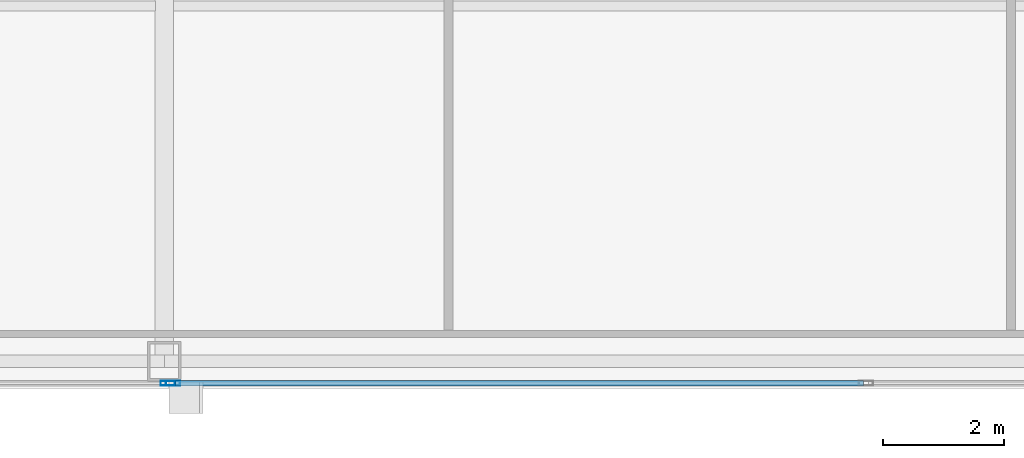
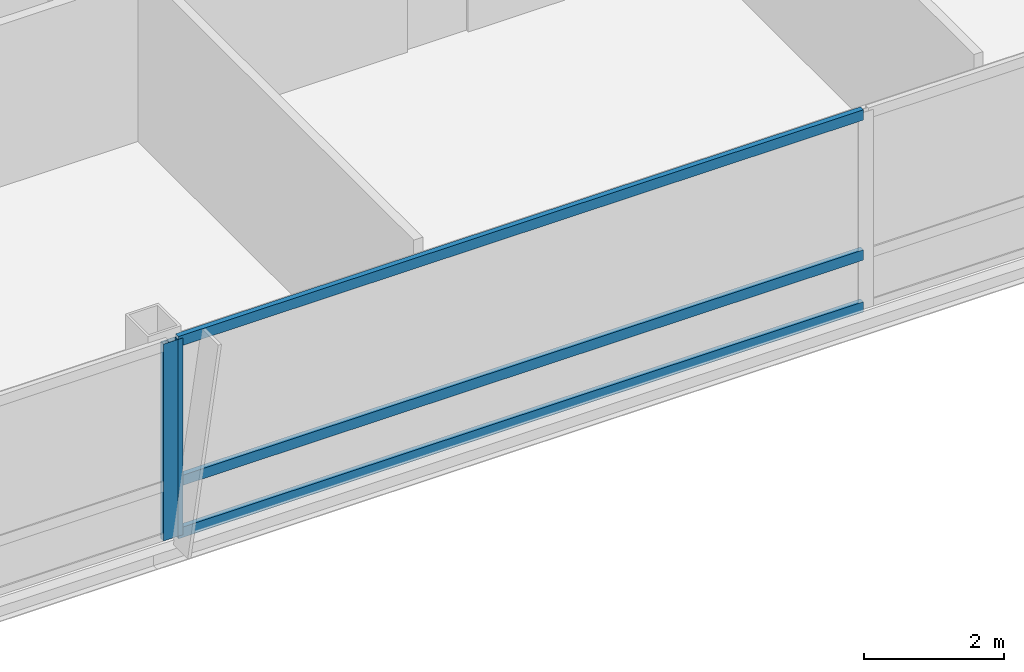
# One storey, part 7 of 29: 5 members, 2 elements without a shape of their own.
"""IFC4 building model written with IfcOpenShell, lengths in metres."""

from ifc_helpers import new_model, si_unit, direction, frame, origin, origin_2d, place, context, subcontext, project, spatial, hollow_rectangle, extrude, material, material_profile, profile_set, type_object, element, aggregate, save


model = new_model("IFC4")

# Units and contexts
model_context = context("Model", 3, precision=1e-05, world=origin(), true_north=direction((0.0, 1.0)))
body_context = subcontext(model_context, "Body", "Model", "MODEL_VIEW")
ifc_project = project(units=[si_unit("LENGTHUNIT", "METRE"), si_unit("AREAUNIT", "SQUARE_METRE"), si_unit("VOLUMEUNIT", "CUBIC_METRE"), si_unit("PLANEANGLEUNIT", "RADIAN"), si_unit("MASSUNIT", "GRAM", prefix="KILO")], contexts=[model_context])

# Site, building, storey
site_placement = place(None, origin())
site = spatial("IfcSite", under=ifc_project, at=site_placement, CompositionType="ELEMENT")
building_placement = place(site_placement, origin())
building = spatial("IfcBuilding", under=site, at=building_placement, Name="Khoronbel Lancet Exchange", CompositionType="ELEMENT")
storey_placement = place(building_placement, frame((0.0, 0.0, 321.800048828125)))
storey = spatial("IfcBuildingStorey", under=building, at=storey_placement, Name="L83", CompositionType="ELEMENT", Elevation=321.800048828125)

# Curtain wall, member
ifc_material_1 = material(Name="Low-E Solar Control Insulating Glass", Category="glass")
curtain_wall_type = type_object("IfcCurtainWallType", Name="CW-3", PredefinedType="NOTDEFINED", material=ifc_material_1)
curtain_wall_1_placement = place(storey_placement, origin())
curtain_wall_1 = element("IfcCurtainWall", 1, at=curtain_wall_1_placement, inside=storey, type_object=curtain_wall_type, Name="Unitised curtain wall CW-L83-SWB", PredefinedType="NOTDEFINED")
ifc_material_2 = material(Name="Bronze-Anodised Aluminium 6063-T6", Category="aluminium")
ifc_material_profile_1 = material_profile(ifc_material_2, hollow_rectangle(XDim=0.0849609375, YDim=0.239990234375, WallThickness=0.006103515625, at=origin_2d()), Name="ALU MULLION 85x240")
ifc_profile_set_1 = profile_set([ifc_material_profile_1], Name="Bronze-Anodised Aluminium 6063-T6")
member_type_1 = type_object("IfcMemberType", Name="MEM-CWM1", PredefinedType="MULLION", material=ifc_profile_set_1)
member_1_placement = place(storey_placement, frame((24.95751953125, 9.7900390625, 0.0), z_axis=(0.0, 0.0, 1.0), x_axis=(0.0, 1.0, 0.0)))
member_1 = element("IfcMember", 2, at=member_1_placement, type_object=member_type_1, Name="CW3 mullion 2", PredefinedType="MULLION", context=body_context, shape_type="SweptSolid", body=[
    extrude(hollow_rectangle(XDim=0.0849609375, YDim=0.239990234375, WallThickness=0.006103515625, at=origin_2d()), origin(), (0.0, 0.0, 1.0), 3.43994140625),
])
aggregate(curtain_wall_1, [member_1])

# Curtain wall, members
curtain_wall_2_placement = place(storey_placement, origin())
curtain_wall_2 = element("IfcCurtainWall", 3, at=curtain_wall_2_placement, inside=storey, type_object=curtain_wall_type, Name="Unitised curtain wall CW-L83-SCV", PredefinedType="NOTDEFINED")
member_2_placement = place(storey_placement, frame((25.04248046875, 9.7900390625, 0.0), z_axis=(0.0, 0.0, 1.0), x_axis=(0.0, 1.0, 0.0)))
member_2 = element("IfcMember", 4, at=member_2_placement, type_object=member_type_1, Name="CW3 mullion 1", PredefinedType="MULLION", context=body_context, shape_type="SweptSolid", body=[
    extrude(hollow_rectangle(XDim=0.0849609375, YDim=0.239990234375, WallThickness=0.006103515625, at=origin_2d()), origin(), (0.0, 0.0, 1.0), 3.43994140625),
])
ifc_material_profile_2 = material_profile(ifc_material_2, hollow_rectangle(XDim=0.0849609375, YDim=0.179931640625, WallThickness=0.0048828125, at=origin_2d()), Name="ALU TRANSOM 85x180")
ifc_profile_set_2 = profile_set([ifc_material_profile_2], Name="Bronze-Anodised Aluminium 6063-T6")
member_type_2 = type_object("IfcMemberType", Name="MEM-CWT1", PredefinedType="USERDEFINED", material=ifc_profile_set_2)
member_3_placement = place(storey_placement, frame((25.0849609375, 9.7900390625, 0.04248046875), z_axis=(1.0, 0.0, 0.0), x_axis=(0.0, 1.0, 0.0)))
member_3 = element("IfcMember", 5, at=member_3_placement, type_object=member_type_2, Name="CW3 transom 1.1", ObjectType="TRANSOM", PredefinedType="USERDEFINED", context=body_context, shape_type="SweptSolid", body=[
    extrude(hollow_rectangle(XDim=0.0849609375, YDim=0.179931640625, WallThickness=0.0048828125, at=origin_2d()), origin(), (0.0, 0.0, 1.0), 11.322509765625),
])
member_4_placement = place(storey_placement, frame((25.0849609375, 9.7900390625, 0.949951171875), z_axis=(1.0, 0.0, 0.0), x_axis=(0.0, 1.0, 0.0)))
member_4 = element("IfcMember", 6, at=member_4_placement, type_object=member_type_2, Name="CW3 transom 1.2", ObjectType="TRANSOM", PredefinedType="USERDEFINED", context=body_context, shape_type="SweptSolid", body=[
    extrude(hollow_rectangle(XDim=0.0849609375, YDim=0.179931640625, WallThickness=0.0048828125, at=origin_2d()), origin(), (0.0, 0.0, 1.0), 11.322509765625),
])
member_5_placement = place(storey_placement, frame((25.0849609375, 9.7900390625, 3.3974609375), z_axis=(1.0, 0.0, 0.0), x_axis=(0.0, 1.0, 0.0)))
member_5 = element("IfcMember", 7, at=member_5_placement, type_object=member_type_2, Name="CW3 transom 1.3", ObjectType="TRANSOM", PredefinedType="USERDEFINED", context=body_context, shape_type="SweptSolid", body=[
    extrude(hollow_rectangle(XDim=0.0849609375, YDim=0.179931640625, WallThickness=0.0048828125, at=origin_2d()), origin(), (0.0, 0.0, 1.0), 11.322509765625),
])
aggregate(curtain_wall_2, [member_2, member_3, member_4, member_5])

save(model, "model.ifc")
